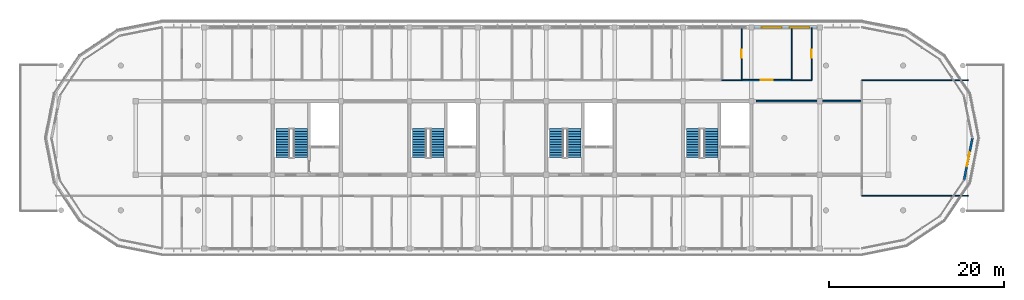
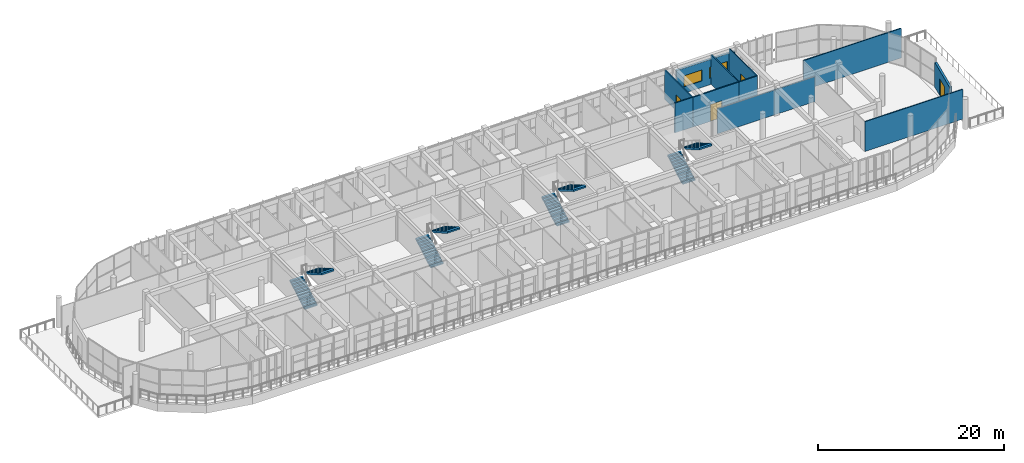
# One storey, part 51 of 56: 11 walls, 8 stair flights, 4 doors, 2 windows, 6 openings, 4 elements without a shape of their own.
"""IFC4 building model written with IfcOpenShell, lengths in metres."""

from ifc_helpers import new_model, si_unit, direction, frame, frame_2d, origin, place, context, subcontext, project, spatial, polyline, rectangle, outline, extrude, material, layer, layer_set, type_object, element, fill, aggregate, save


model = new_model("IFC4")

# Units and contexts
model_context = context("Model", 3, precision=1e-05, world=origin(), true_north=direction((0.0, 1.0)))
body_context = subcontext(model_context, "Body", "Model", "MODEL_VIEW")
ifc_project = project(units=[si_unit("LENGTHUNIT", "METRE"), si_unit("AREAUNIT", "SQUARE_METRE"), si_unit("VOLUMEUNIT", "CUBIC_METRE"), si_unit("PLANEANGLEUNIT", "RADIAN"), si_unit("MASSUNIT", "GRAM", prefix="KILO")], contexts=[model_context])

# Site, building, storey
site_placement = place(None, origin())
site = spatial("IfcSite", under=ifc_project, at=site_placement, CompositionType="ELEMENT")
building_placement = place(site_placement, origin())
building = spatial("IfcBuilding", under=site, at=building_placement, Name="Zizhar Promenade General Hospital", CompositionType="ELEMENT")
storey_placement = place(building_placement, frame((0.0, 0.0, 26.39990234375)))
storey = spatial("IfcBuildingStorey", under=building, at=storey_placement, Name="L06", CompositionType="ELEMENT", Elevation=26.39990234375)

# Wall, opening, door
ifc_material_1 = material(Name="Precast concrete C40/50", Category="concrete")
ifc_layer_1 = layer(ifc_material_1, 0.2451171875)
ifc_layer_set_1 = layer_set([ifc_layer_1], Name="Precast concrete C40/50")
wall_type_1 = type_object("IfcWallType", Name="EW-PC-245", PredefinedType="STANDARD", material=ifc_layer_set_1)
wall_1_placement = place(storey_placement, frame((126.60009765625, 12.60009765625, 0.0), z_axis=(0.0, 0.0, 1.0), x_axis=(-0.195113286981, -0.980780712108, 0.0)))
wall_1 = element("IfcWall", 1, at=wall_1_placement, inside=storey, type_object=wall_type_1, Name="Ward East Terrace Portal Wall L06", PredefinedType="STANDARD", context=body_context, shape_type="SweptSolid", body=[
    extrude(rectangle(XDim=4.916259765625, YDim=0.2451171875, at=frame_2d((2.4580078125, 0.0))), origin(), (0.0, 0.0, 1.0), 3.27001953125),
])
opening_1_placement = place(wall_1_placement, frame((1.658203125, 0.0, 0.0)))
opening_1 = element("IfcOpeningElement", 2, at=opening_1_placement, cuts=wall_1, Name="Opening ED-05", PredefinedType="OPENING", context=body_context, shape_type="SweptSolid", body=[
    extrude(rectangle(XDim=1.60009765625, YDim=2.199951171875, at=frame_2d((0.800048828125, 1.10009765625))), frame((0.0, 0.132568359375, 0.0), z_axis=(0.0, -1.0, 0.0), x_axis=(1.0, 0.0, 0.0)), (0.0, 0.0, 1.0), 0.26513671875),
])
ifc_material_2 = material(Name="Anodised aluminium 6063-T6 and laminated safety glass", Category="aluminium")
door_type_1 = type_object("IfcDoorType", Name="DR-EXT-TERR-160x220", OperationType="DOUBLE_DOOR_SINGLE_SWING", PredefinedType="DOOR", material=ifc_material_2)
door_1_placement = place(opening_1_placement, origin())
door_1 = element("IfcDoor", 3, at=door_1_placement, inside=storey, type_object=door_type_1, Name="Level L06 East Recovery Terrace Door", OperationType="DOUBLE_DOOR_SINGLE_SWING", OverallHeight=2.199951171875, OverallWidth=1.60009765625, PredefinedType="DOOR", context=body_context, shape_type="SweptSolid", body=[
    extrude(rectangle(XDim=1.60009765625, YDim=2.199951171875, at=frame_2d((0.800048828125, 1.10009765625))), frame((0.0, 0.02490234375, 0.0), z_axis=(0.0, -1.0, 0.0), x_axis=(1.0, 0.0, 0.0)), (0.0, 0.0, 1.0), 0.050048828125),
])
fill(opening_1, door_1)

# Wall, openings, windows
ifc_material_3 = material(Name="Precast concrete C40/50", Category="concrete")
ifc_layer_2 = layer(ifc_material_3, 0.260009765625)
ifc_layer_set_2 = layer_set([ifc_layer_2], Name="Precast concrete C40/50")
wall_type_2 = type_object("IfcWallType", Name="EW-PC-260", PredefinedType="STANDARD", material=ifc_layer_set_2)
wall_2_placement = place(storey_placement, frame((101.68994140625, 25.199951171875, 0.0), z_axis=(0.0, 0.0, 1.0), x_axis=(1.0, 0.0, 0.0)))
wall_2 = element("IfcWall", 4, at=wall_2_placement, inside=storey, type_object=wall_type_2, Name="Ward Precast Ribbon Pier L06-8-9", PredefinedType="STANDARD", context=body_context, shape_type="SweptSolid", body=[
    extrude(rectangle(XDim=7.219970703125, YDim=0.260009765625, at=frame_2d((3.60986328125, 0.0))), origin(), (0.0, 0.0, 1.0), 3.30517578125),
])
opening_2_placement = place(wall_2_placement, frame((0.90673828125, 0.0, 0.85009765625)))
opening_2 = element("IfcOpeningElement", 5, at=opening_2_placement, cuts=wall_2, Name="Opening W-28", PredefinedType="OPENING", context=body_context, shape_type="SweptSolid", body=[
    extrude(rectangle(XDim=2.25, YDim=1.449951171875, at=frame_2d((1.125, 0.72509765625))), frame((0.0, 0.14013671875, 0.0), z_axis=(0.0, -1.0, 0.0), x_axis=(1.0, 0.0, 0.0)), (0.0, 0.0, 1.0), 0.280029296875),
])
opening_3_placement = place(wall_2_placement, frame((4.063232421875, 0.0, 0.85009765625)))
opening_3 = element("IfcOpeningElement", 6, at=opening_3_placement, cuts=wall_2, Name="Opening W-28", PredefinedType="OPENING", context=body_context, shape_type="SweptSolid", body=[
    extrude(rectangle(XDim=2.25, YDim=1.449951171875, at=frame_2d((1.125, 0.72509765625))), frame((0.0, 0.14013671875, 0.0), z_axis=(0.0, -1.0, 0.0), x_axis=(1.0, 0.0, 0.0)), (0.0, 0.0, 1.0), 0.280029296875),
])
ifc_material_4 = material(Name="Anodised aluminium 6063-T6 and low-E glass", Category="aluminium")
window_type = type_object("IfcWindowType", Name="WIN-WARD-225x145", PartitioningType="DOUBLE_PANEL_VERTICAL", PredefinedType="WINDOW", material=ifc_material_4)
window_1_placement = place(opening_2_placement, origin())
window_1 = element("IfcWindow", 7, at=window_1_placement, inside=storey, type_object=window_type, Name="Ward Precast Ribbon Pier L06-8-9 Window 1", OverallHeight=1.449951171875, OverallWidth=2.25, PartitioningType="SINGLE_PANEL", PredefinedType="WINDOW", context=body_context, shape_type="SweptSolid", body=[
    extrude(rectangle(XDim=2.25, YDim=1.449951171875, at=frame_2d((1.125, 0.72509765625))), frame((0.0, 0.030029296875, 0.0), z_axis=(0.0, -1.0, 0.0), x_axis=(1.0, 0.0, 0.0)), (0.0, 0.0, 1.0), 0.06005859375),
])
fill(opening_2, window_1)
window_2_placement = place(opening_3_placement, origin())
window_2 = element("IfcWindow", 8, at=window_2_placement, inside=storey, type_object=window_type, Name="Ward Precast Ribbon Pier L06-8-9 Window 2", OverallHeight=1.449951171875, OverallWidth=2.25, PartitioningType="SINGLE_PANEL", PredefinedType="WINDOW", context=body_context, shape_type="SweptSolid", body=[
    extrude(rectangle(XDim=2.25, YDim=1.449951171875, at=frame_2d((1.125, 0.72509765625))), frame((0.0, 0.030029296875, 0.0), z_axis=(0.0, -1.0, 0.0), x_axis=(1.0, 0.0, 0.0)), (0.0, 0.0, 1.0), 0.06005859375),
])
fill(opening_3, window_2)

# Walls
ifc_material_5 = material(Name="Clean utility gypsum partition")
ifc_layer_3 = layer(ifc_material_5, 0.114990234375)
ifc_layer_set_3 = layer_set([ifc_layer_3], Name="Clean utility gypsum partition")
wall_type_3 = type_object("IfcWallType", Name="IW-STR-115", PredefinedType="PARTITIONING", material=ifc_layer_set_3)
for number, where, z_axis, x_axis, name in (
    (9, (114.0, 6.0, 0.0), (0.0, 0.0, 1.0), (1.0, 0.0, 0.0), "East Patient Recovery Solarium L06 S Partition"),
    (10, (114.0, 19.199951171875, 0.0), (0.0, 0.0, 1.0), (1.0, 0.0, 0.0), "East Patient Recovery Solarium L06 N Partition"),
):
    element("IfcWall", number, at=place(storey_placement, frame(where, z_axis=z_axis, x_axis=x_axis)), inside=storey, type_object=wall_type_3, Name=name, PredefinedType="PARTITIONING", context=body_context, shape_type="SweptSolid", body=[
        extrude(rectangle(XDim=12.10009765625, YDim=0.114990234375, at=frame_2d((6.050048828125, 0.0))), origin(), (0.0, 0.0, 1.0), 3.900146484375),
    ])

# Wall, opening, door
ifc_material_6 = material(Name="Acoustic patient bedroom partition")
ifc_layer_4 = layer(ifc_material_6, 0.155029296875)
ifc_layer_set_4 = layer_set([ifc_layer_4], Name="Acoustic patient bedroom partition")
wall_type_4 = type_object("IfcWallType", Name="IW-WARD-155", PredefinedType="PARTITIONING", material=ifc_layer_set_4)
wall_3_placement = place(storey_placement, frame((100.300048828125, 19.199951171875, 0.0), z_axis=(0.0, 0.0, 1.0), x_axis=(1.0, 0.0, 0.0)))
wall_3 = element("IfcWall", 11, at=wall_3_placement, inside=storey, type_object=wall_type_4, Name="Surgical Recovery Inpatient Ward L06-N09 S Partition", PredefinedType="PARTITIONING", context=body_context, shape_type="SweptSolid", body=[
    extrude(rectangle(XDim=5.7099609375, YDim=0.155029296875, at=frame_2d((2.85498046875, 0.0))), origin(), (0.0, 0.0, 1.0), 3.900146484375),
])
opening_4_placement = place(wall_3_placement, frame((2.155029296875, 0.0, 0.0)))
opening_4 = element("IfcOpeningElement", 12, at=opening_4_placement, cuts=wall_3, Name="Opening D-06", PredefinedType="OPENING", context=body_context, shape_type="SweptSolid", body=[
    extrude(rectangle(XDim=1.39990234375, YDim=2.199951171875, at=frame_2d((0.699951171875, 1.10009765625))), frame((0.0, 0.08740234375, 0.0), z_axis=(0.0, -1.0, 0.0), x_axis=(1.0, 0.0, 0.0)), (0.0, 0.0, 1.0), 0.175048828125),
])
ifc_material_7 = material(Name="Fire-rated timber hospital bed leaf", Category="wood")
door_type_2 = type_object("IfcDoorType", Name="DR-BED-WARD-140x220", OperationType="NOTDEFINED", PredefinedType="DOOR", material=ifc_material_7)
door_2_placement = place(opening_4_placement, origin())
door_2 = element("IfcDoor", 13, at=door_2_placement, inside=storey, type_object=door_type_2, Name="Surgical Recovery Inpatient Ward L06-N09 Door", OperationType="SINGLE_SWING_LEFT", OverallHeight=2.199951171875, OverallWidth=1.39990234375, PredefinedType="DOOR", context=body_context, shape_type="SweptSolid", body=[
    extrude(rectangle(XDim=1.39990234375, YDim=2.199951171875, at=frame_2d((0.699951171875, 1.10009765625))), frame((0.0, 0.02490234375, 0.0), z_axis=(0.0, -1.0, 0.0), x_axis=(1.0, 0.0, 0.0)), (0.0, 0.0, 1.0), 0.050048828125),
])
fill(opening_4, door_2)

# Walls
wall_4_placement = place(storey_placement, frame((101.9599609375, 16.800048828125, 0.0), z_axis=(0.0, 0.0, 1.0), x_axis=(1.0, 0.0, 0.0)))
element("IfcWall", 14, at=wall_4_placement, inside=storey, type_object=wall_type_4, Name="Ward Doctor Consultation Office L06 N Partition", PredefinedType="PARTITIONING", context=body_context, shape_type="SweptSolid", body=[
    extrude(rectangle(XDim=12.030029296875, YDim=0.155029296875, at=frame_2d((6.01513671875, 0.0))), origin(), (0.0, 0.0, 1.0), 3.27001953125),
])
ifc_material_8 = material(Name="Moisture-resistant en-suite wet partition")
ifc_layer_5 = layer(ifc_material_8, 0.125)
ifc_layer_set_5 = layer_set([ifc_layer_5], Name="Moisture-resistant en-suite wet partition")
wall_type_5 = type_object("IfcWallType", Name="IW-WET-125", PredefinedType="PARTITIONING", material=ifc_layer_set_5)
wall_5_placement = place(storey_placement, frame((98.0400390625, 19.199951171875, 0.0), z_axis=(0.0, 0.0, 1.0), x_axis=(1.0, 0.0, 0.0)))
element("IfcWall", 15, at=wall_5_placement, inside=storey, type_object=wall_type_5, Name="En-Suite Patient Bathroom L06-N09 S Partition", PredefinedType="PARTITIONING", context=body_context, shape_type="SweptSolid", body=[
    extrude(rectangle(XDim=2.25, YDim=0.125, at=frame_2d((1.125, 0.0))), origin(), (0.0, 0.0, 1.0), 3.900146484375),
])

# Wall, opening, door
wall_6_placement = place(storey_placement, frame((100.2900390625, 19.199951171875, 0.0), z_axis=(0.0, 0.0, 1.0), x_axis=(0.0, 1.0, 0.0)))
wall_6 = element("IfcWall", 16, at=wall_6_placement, inside=storey, type_object=wall_type_5, Name="En-Suite Patient Bathroom L06-N09 E Partition", PredefinedType="PARTITIONING", context=body_context, shape_type="SweptSolid", body=[
    extrude(rectangle(XDim=5.955078125, YDim=0.125, at=frame_2d((2.9775390625, 0.0))), origin(), (0.0, 0.0, 1.0), 3.900146484375),
])
opening_5_placement = place(wall_6_placement, frame((2.517578125, 0.0, 0.0)))
opening_5 = element("IfcOpeningElement", 17, at=opening_5_placement, cuts=wall_6, Name="Opening D-18", PredefinedType="OPENING", context=body_context, shape_type="SweptSolid", body=[
    extrude(rectangle(XDim=0.919921875, YDim=2.10009765625, at=frame_2d((0.4599609375, 1.050048828125))), frame((0.0, 0.072509765625, 0.0), z_axis=(0.0, -1.0, 0.0), x_axis=(1.0, 0.0, 0.0)), (0.0, 0.0, 1.0), 0.14501953125),
])
ifc_material_9 = material(Name="Moisture-resistant timber en-suite leaf", Category="wood")
door_type_3 = type_object("IfcDoorType", Name="DR-ENS-STD-092x210", OperationType="NOTDEFINED", PredefinedType="DOOR", material=ifc_material_9)
door_3_placement = place(opening_5_placement, origin())
door_3 = element("IfcDoor", 18, at=door_3_placement, inside=storey, type_object=door_type_3, Name="En-Suite Patient Bathroom L06-N09 Door", OperationType="SINGLE_SWING_LEFT", OverallHeight=2.10009765625, OverallWidth=0.919921875, PredefinedType="DOOR", context=body_context, shape_type="SweptSolid", body=[
    extrude(rectangle(XDim=0.919921875, YDim=2.10009765625, at=frame_2d((0.4599609375, 1.050048828125))), frame((0.0, 0.02490234375, 0.0), z_axis=(0.0, -1.0, 0.0), x_axis=(1.0, 0.0, 0.0)), (0.0, 0.0, 1.0), 0.050048828125),
])
fill(opening_5, door_3)

# Walls
wall_7_placement = place(storey_placement, frame((106.02001953125, 19.199951171875, 0.0), z_axis=(0.0, 0.0, 1.0), x_axis=(1.0, 0.0, 0.0)))
element("IfcWall", 19, at=wall_7_placement, inside=storey, type_object=wall_type_5, Name="En-Suite Patient Bathroom L06-N10 S Partition", PredefinedType="PARTITIONING", context=body_context, shape_type="SweptSolid", body=[
    extrude(rectangle(XDim=2.25, YDim=0.125, at=frame_2d((1.125, 0.0))), origin(), (0.0, 0.0, 1.0), 3.900146484375),
])
wall_8_placement = place(storey_placement, frame((106.02001953125, 19.199951171875, 0.0), z_axis=(0.0, 0.0, 1.0), x_axis=(0.0, 1.0, 0.0)))
element("IfcWall", 20, at=wall_8_placement, inside=storey, type_object=wall_type_5, Name="En-Suite Patient Bathroom L06-N10 W Partition", PredefinedType="PARTITIONING", context=body_context, shape_type="SweptSolid", body=[
    extrude(rectangle(XDim=5.955078125, YDim=0.125, at=frame_2d((2.9775390625, 0.0))), origin(), (0.0, 0.0, 1.0), 3.900146484375),
])

# Wall, opening, door
wall_9_placement = place(storey_placement, frame((108.27001953125, 19.199951171875, 0.0), z_axis=(0.0, 0.0, 1.0), x_axis=(0.0, 1.0, 0.0)))
wall_9 = element("IfcWall", 21, at=wall_9_placement, inside=storey, type_object=wall_type_5, Name="En-Suite Patient Bathroom L06-N10 E Partition", PredefinedType="PARTITIONING", context=body_context, shape_type="SweptSolid", body=[
    extrude(rectangle(XDim=5.955078125, YDim=0.125, at=frame_2d((2.9775390625, 0.0))), origin(), (0.0, 0.0, 1.0), 3.900146484375),
])
opening_6_placement = place(wall_9_placement, frame((2.517578125, 0.0, 0.0)))
opening_6 = element("IfcOpeningElement", 22, at=opening_6_placement, cuts=wall_9, Name="Opening D-18", PredefinedType="OPENING", context=body_context, shape_type="SweptSolid", body=[
    extrude(rectangle(XDim=0.919921875, YDim=2.10009765625, at=frame_2d((0.4599609375, 1.050048828125))), frame((0.0, 0.072509765625, 0.0), z_axis=(0.0, -1.0, 0.0), x_axis=(1.0, 0.0, 0.0)), (0.0, 0.0, 1.0), 0.14501953125),
])
door_4_placement = place(opening_6_placement, origin())
door_4 = element("IfcDoor", 23, at=door_4_placement, inside=storey, type_object=door_type_3, Name="En-Suite Patient Bathroom L06-N10 Door", OperationType="SINGLE_SWING_LEFT", OverallHeight=2.10009765625, OverallWidth=0.919921875, PredefinedType="DOOR", context=body_context, shape_type="SweptSolid", body=[
    extrude(rectangle(XDim=0.919921875, YDim=2.10009765625, at=frame_2d((0.4599609375, 1.050048828125))), frame((0.0, 0.02490234375, 0.0), z_axis=(0.0, -1.0, 0.0), x_axis=(1.0, 0.0, 0.0)), (0.0, 0.0, 1.0), 0.050048828125),
])
fill(opening_6, door_4)

# Stair, stair flights
ifc_material_10 = material(Name="Concrete C35/45", Category="concrete")
stair_type = type_object("IfcStairType", Name="STR-DOG-420", PredefinedType="HALF_TURN_STAIR", material=ifc_material_10)
stair_1_placement = place(storey_placement, origin())
stair_1 = element("IfcStair", 24, at=stair_1_placement, inside=storey, type_object=stair_type, Name="Exit Stair ST-02 (L06 to L07)", PredefinedType="HALF_TURN_STAIR")
ifc_material_11 = material(Name="Concrete C35/45", Category="concrete")
stair_flight_type = type_object("IfcStairFlightType", Name="SFL-DOG-420", PredefinedType="STRAIGHT", material=ifc_material_11)
stair_flight_1_placement = place(storey_placement, frame((47.949951171875, 10.35009765625, 0.0), z_axis=(0.0, 0.0, 1.0), x_axis=(0.0, 1.0, 0.0)))
stair_flight_1 = element("IfcStairFlight", 25, at=stair_flight_1_placement, type_object=stair_flight_type, Name="ST-02C flight 1", NumberOfRisers=12, NumberOfTreads=11, PredefinedType="STRAIGHT", RiserHeight=0.175, TreadLength=0.3, context=body_context, shape_type="SweptSolid", body=[
    extrude(outline(polyline([(0.0, 0.0), (0.0, 0.175048828125), (0.300048828125, 0.175048828125), (0.300048828125, 0.35009765625), (0.60009765625, 0.35009765625), (0.60009765625, 0.52490234375), (0.89990234375, 0.52490234375), (0.89990234375, 0.699951171875), (1.199951171875, 0.699951171875), (1.199951171875, 0.875), (1.5, 0.875), (1.5, 1.050048828125), (1.800048828125, 1.050048828125), (1.800048828125, 1.22509765625), (2.10009765625, 1.22509765625), (2.10009765625, 1.39990234375), (2.39990234375, 1.39990234375), (2.39990234375, 1.574951171875), (2.699951171875, 1.574951171875), (2.699951171875, 1.75), (3.0, 1.75), (3.0, 1.925048828125), (3.300048828125, 1.925048828125), (3.300048828125, 2.10009765625), (3.300048828125, 1.716796875), (0.357177734375, 0.0), (0.0, 0.0)])), frame((0.0, 0.780029296875, 0.0), z_axis=(0.0, -1.0, 0.0), x_axis=(1.0, 0.0, 0.0)), (0.0, 0.0, 1.0), 1.56005859375),
])
stair_flight_2_placement = place(storey_placement, frame((49.989990234375, 13.64990234375, 2.10009765625), z_axis=(0.0, 0.0, 1.0), x_axis=(0.0, -1.0, 0.0)))
stair_flight_2 = element("IfcStairFlight", 26, at=stair_flight_2_placement, type_object=stair_flight_type, Name="ST-02C flight 2", NumberOfRisers=12, NumberOfTreads=11, PredefinedType="STRAIGHT", RiserHeight=0.175, TreadLength=0.3, context=body_context, shape_type="SweptSolid", body=[
    extrude(outline(polyline([(0.0, 0.0), (0.0, 0.175048828125), (0.300048828125, 0.175048828125), (0.300048828125, 0.35009765625), (0.60009765625, 0.35009765625), (0.60009765625, 0.52490234375), (0.89990234375, 0.52490234375), (0.89990234375, 0.699951171875), (1.199951171875, 0.699951171875), (1.199951171875, 0.875), (1.5, 0.875), (1.5, 1.050048828125), (1.800048828125, 1.050048828125), (1.800048828125, 1.22509765625), (2.10009765625, 1.22509765625), (2.10009765625, 1.39990234375), (2.39990234375, 1.39990234375), (2.39990234375, 1.574951171875), (2.699951171875, 1.574951171875), (2.699951171875, 1.75), (3.0, 1.75), (3.0, 1.925048828125), (3.300048828125, 1.925048828125), (3.300048828125, 2.10009765625), (3.300048828125, 1.716796875), (0.357177734375, 0.0), (0.0, 0.0)])), frame((0.0, 0.780029296875, 0.0), z_axis=(0.0, -1.0, 0.0), x_axis=(1.0, 0.0, 0.0)), (0.0, 0.0, 1.0), 1.56005859375),
])
aggregate(stair_1, [stair_flight_1, stair_flight_2])

stair_2_placement = place(storey_placement, origin())
stair_2 = element("IfcStair", 27, at=stair_2_placement, inside=storey, type_object=stair_type, Name="Exit Stair ST-03 (L06 to L07)", PredefinedType="HALF_TURN_STAIR")
stair_flight_3_placement = place(storey_placement, frame((63.550048828125, 10.35009765625, 0.0), z_axis=(0.0, 0.0, 1.0), x_axis=(0.0, 1.0, 0.0)))
stair_flight_3 = element("IfcStairFlight", 28, at=stair_flight_3_placement, type_object=stair_flight_type, Name="ST-03C flight 1", NumberOfRisers=12, NumberOfTreads=11, PredefinedType="STRAIGHT", RiserHeight=0.175, TreadLength=0.3, context=body_context, shape_type="SweptSolid", body=[
    extrude(outline(polyline([(0.0, 0.0), (0.0, 0.175048828125), (0.300048828125, 0.175048828125), (0.300048828125, 0.35009765625), (0.60009765625, 0.35009765625), (0.60009765625, 0.52490234375), (0.89990234375, 0.52490234375), (0.89990234375, 0.699951171875), (1.199951171875, 0.699951171875), (1.199951171875, 0.875), (1.5, 0.875), (1.5, 1.050048828125), (1.800048828125, 1.050048828125), (1.800048828125, 1.22509765625), (2.10009765625, 1.22509765625), (2.10009765625, 1.39990234375), (2.39990234375, 1.39990234375), (2.39990234375, 1.574951171875), (2.699951171875, 1.574951171875), (2.699951171875, 1.75), (3.0, 1.75), (3.0, 1.925048828125), (3.300048828125, 1.925048828125), (3.300048828125, 2.10009765625), (3.300048828125, 1.716796875), (0.357177734375, 0.0), (0.0, 0.0)])), frame((0.0, 0.780029296875, 0.0), z_axis=(0.0, -1.0, 0.0), x_axis=(1.0, 0.0, 0.0)), (0.0, 0.0, 1.0), 1.56005859375),
])
stair_flight_4_placement = place(storey_placement, frame((65.590087890625, 13.64990234375, 2.10009765625), z_axis=(0.0, 0.0, 1.0), x_axis=(0.0, -1.0, 0.0)))
stair_flight_4 = element("IfcStairFlight", 29, at=stair_flight_4_placement, type_object=stair_flight_type, Name="ST-03C flight 2", NumberOfRisers=12, NumberOfTreads=11, PredefinedType="STRAIGHT", RiserHeight=0.175, TreadLength=0.3, context=body_context, shape_type="SweptSolid", body=[
    extrude(outline(polyline([(0.0, 0.0), (0.0, 0.175048828125), (0.300048828125, 0.175048828125), (0.300048828125, 0.35009765625), (0.60009765625, 0.35009765625), (0.60009765625, 0.52490234375), (0.89990234375, 0.52490234375), (0.89990234375, 0.699951171875), (1.199951171875, 0.699951171875), (1.199951171875, 0.875), (1.5, 0.875), (1.5, 1.050048828125), (1.800048828125, 1.050048828125), (1.800048828125, 1.22509765625), (2.10009765625, 1.22509765625), (2.10009765625, 1.39990234375), (2.39990234375, 1.39990234375), (2.39990234375, 1.574951171875), (2.699951171875, 1.574951171875), (2.699951171875, 1.75), (3.0, 1.75), (3.0, 1.925048828125), (3.300048828125, 1.925048828125), (3.300048828125, 2.10009765625), (3.300048828125, 1.716796875), (0.357177734375, 0.0), (0.0, 0.0)])), frame((0.0, 0.780029296875, 0.0), z_axis=(0.0, -1.0, 0.0), x_axis=(1.0, 0.0, 0.0)), (0.0, 0.0, 1.0), 1.56005859375),
])
aggregate(stair_2, [stair_flight_3, stair_flight_4])

stair_3_placement = place(storey_placement, origin())
stair_3 = element("IfcStair", 30, at=stair_3_placement, inside=storey, type_object=stair_type, Name="Exit Stair ST-04 (L06 to L07)", PredefinedType="HALF_TURN_STAIR")
stair_flight_5_placement = place(storey_placement, frame((79.14990234375, 10.35009765625, 0.0), z_axis=(0.0, 0.0, 1.0), x_axis=(0.0, 1.0, 0.0)))
stair_flight_5 = element("IfcStairFlight", 31, at=stair_flight_5_placement, type_object=stair_flight_type, Name="ST-04C flight 1", NumberOfRisers=12, NumberOfTreads=11, PredefinedType="STRAIGHT", RiserHeight=0.175, TreadLength=0.3, context=body_context, shape_type="SweptSolid", body=[
    extrude(outline(polyline([(0.0, 0.0), (0.0, 0.175048828125), (0.300048828125, 0.175048828125), (0.300048828125, 0.35009765625), (0.60009765625, 0.35009765625), (0.60009765625, 0.52490234375), (0.89990234375, 0.52490234375), (0.89990234375, 0.699951171875), (1.199951171875, 0.699951171875), (1.199951171875, 0.875), (1.5, 0.875), (1.5, 1.050048828125), (1.800048828125, 1.050048828125), (1.800048828125, 1.22509765625), (2.10009765625, 1.22509765625), (2.10009765625, 1.39990234375), (2.39990234375, 1.39990234375), (2.39990234375, 1.574951171875), (2.699951171875, 1.574951171875), (2.699951171875, 1.75), (3.0, 1.75), (3.0, 1.925048828125), (3.300048828125, 1.925048828125), (3.300048828125, 2.10009765625), (3.300048828125, 1.716796875), (0.357177734375, 0.0), (0.0, 0.0)])), frame((0.0, 0.780029296875, 0.0), z_axis=(0.0, -1.0, 0.0), x_axis=(1.0, 0.0, 0.0)), (0.0, 0.0, 1.0), 1.56005859375),
])
stair_flight_6_placement = place(storey_placement, frame((81.18994140625, 13.64990234375, 2.10009765625), z_axis=(0.0, 0.0, 1.0), x_axis=(0.0, -1.0, 0.0)))
stair_flight_6 = element("IfcStairFlight", 32, at=stair_flight_6_placement, type_object=stair_flight_type, Name="ST-04C flight 2", NumberOfRisers=12, NumberOfTreads=11, PredefinedType="STRAIGHT", RiserHeight=0.175, TreadLength=0.3, context=body_context, shape_type="SweptSolid", body=[
    extrude(outline(polyline([(0.0, 0.0), (0.0, 0.175048828125), (0.300048828125, 0.175048828125), (0.300048828125, 0.35009765625), (0.60009765625, 0.35009765625), (0.60009765625, 0.52490234375), (0.89990234375, 0.52490234375), (0.89990234375, 0.699951171875), (1.199951171875, 0.699951171875), (1.199951171875, 0.875), (1.5, 0.875), (1.5, 1.050048828125), (1.800048828125, 1.050048828125), (1.800048828125, 1.22509765625), (2.10009765625, 1.22509765625), (2.10009765625, 1.39990234375), (2.39990234375, 1.39990234375), (2.39990234375, 1.574951171875), (2.699951171875, 1.574951171875), (2.699951171875, 1.75), (3.0, 1.75), (3.0, 1.925048828125), (3.300048828125, 1.925048828125), (3.300048828125, 2.10009765625), (3.300048828125, 1.716796875), (0.357177734375, 0.0), (0.0, 0.0)])), frame((0.0, 0.780029296875, 0.0), z_axis=(0.0, -1.0, 0.0), x_axis=(1.0, 0.0, 0.0)), (0.0, 0.0, 1.0), 1.56005859375),
])
aggregate(stair_3, [stair_flight_5, stair_flight_6])

stair_4_placement = place(storey_placement, origin())
stair_4 = element("IfcStair", 33, at=stair_4_placement, inside=storey, type_object=stair_type, Name="Exit Stair ST-05 (L06 to L07)", PredefinedType="HALF_TURN_STAIR")
stair_flight_7_placement = place(storey_placement, frame((94.75, 10.35009765625, 0.0), z_axis=(0.0, 0.0, 1.0), x_axis=(0.0, 1.0, 0.0)))
stair_flight_7 = element("IfcStairFlight", 34, at=stair_flight_7_placement, type_object=stair_flight_type, Name="ST-05C flight 1", NumberOfRisers=12, NumberOfTreads=11, PredefinedType="STRAIGHT", RiserHeight=0.175, TreadLength=0.3, context=body_context, shape_type="SweptSolid", body=[
    extrude(outline(polyline([(0.0, 0.0), (0.0, 0.175048828125), (0.300048828125, 0.175048828125), (0.300048828125, 0.35009765625), (0.60009765625, 0.35009765625), (0.60009765625, 0.52490234375), (0.89990234375, 0.52490234375), (0.89990234375, 0.699951171875), (1.199951171875, 0.699951171875), (1.199951171875, 0.875), (1.5, 0.875), (1.5, 1.050048828125), (1.800048828125, 1.050048828125), (1.800048828125, 1.22509765625), (2.10009765625, 1.22509765625), (2.10009765625, 1.39990234375), (2.39990234375, 1.39990234375), (2.39990234375, 1.574951171875), (2.699951171875, 1.574951171875), (2.699951171875, 1.75), (3.0, 1.75), (3.0, 1.925048828125), (3.300048828125, 1.925048828125), (3.300048828125, 2.10009765625), (3.300048828125, 1.716796875), (0.357177734375, 0.0), (0.0, 0.0)])), frame((0.0, 0.780029296875, 0.0), z_axis=(0.0, -1.0, 0.0), x_axis=(1.0, 0.0, 0.0)), (0.0, 0.0, 1.0), 1.56005859375),
])
stair_flight_8_placement = place(storey_placement, frame((96.7900390625, 13.64990234375, 2.10009765625), z_axis=(0.0, 0.0, 1.0), x_axis=(0.0, -1.0, 0.0)))
stair_flight_8 = element("IfcStairFlight", 35, at=stair_flight_8_placement, type_object=stair_flight_type, Name="ST-05C flight 2", NumberOfRisers=12, NumberOfTreads=11, PredefinedType="STRAIGHT", RiserHeight=0.175, TreadLength=0.3, context=body_context, shape_type="SweptSolid", body=[
    extrude(outline(polyline([(0.0, 0.0), (0.0, 0.175048828125), (0.300048828125, 0.175048828125), (0.300048828125, 0.35009765625), (0.60009765625, 0.35009765625), (0.60009765625, 0.52490234375), (0.89990234375, 0.52490234375), (0.89990234375, 0.699951171875), (1.199951171875, 0.699951171875), (1.199951171875, 0.875), (1.5, 0.875), (1.5, 1.050048828125), (1.800048828125, 1.050048828125), (1.800048828125, 1.22509765625), (2.10009765625, 1.22509765625), (2.10009765625, 1.39990234375), (2.39990234375, 1.39990234375), (2.39990234375, 1.574951171875), (2.699951171875, 1.574951171875), (2.699951171875, 1.75), (3.0, 1.75), (3.0, 1.925048828125), (3.300048828125, 1.925048828125), (3.300048828125, 2.10009765625), (3.300048828125, 1.716796875), (0.357177734375, 0.0), (0.0, 0.0)])), frame((0.0, 0.780029296875, 0.0), z_axis=(0.0, -1.0, 0.0), x_axis=(1.0, 0.0, 0.0)), (0.0, 0.0, 1.0), 1.56005859375),
])
aggregate(stair_4, [stair_flight_7, stair_flight_8])

save(model, "model.ifc")
